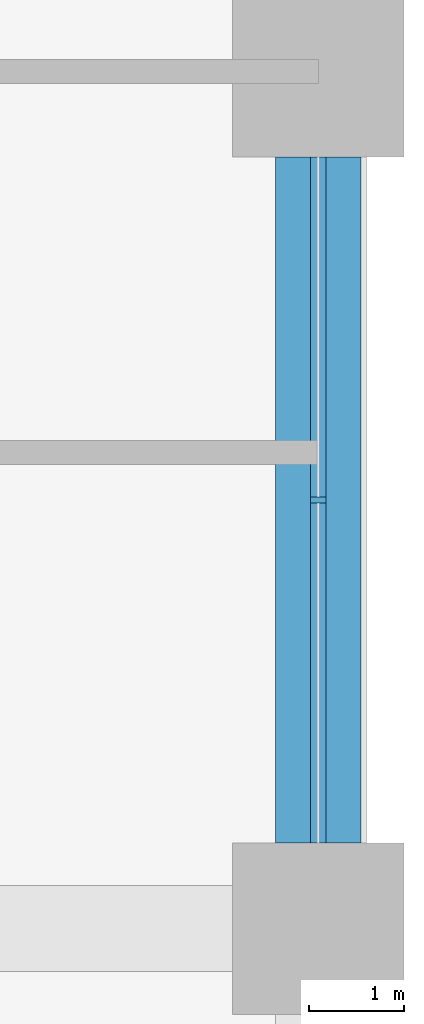
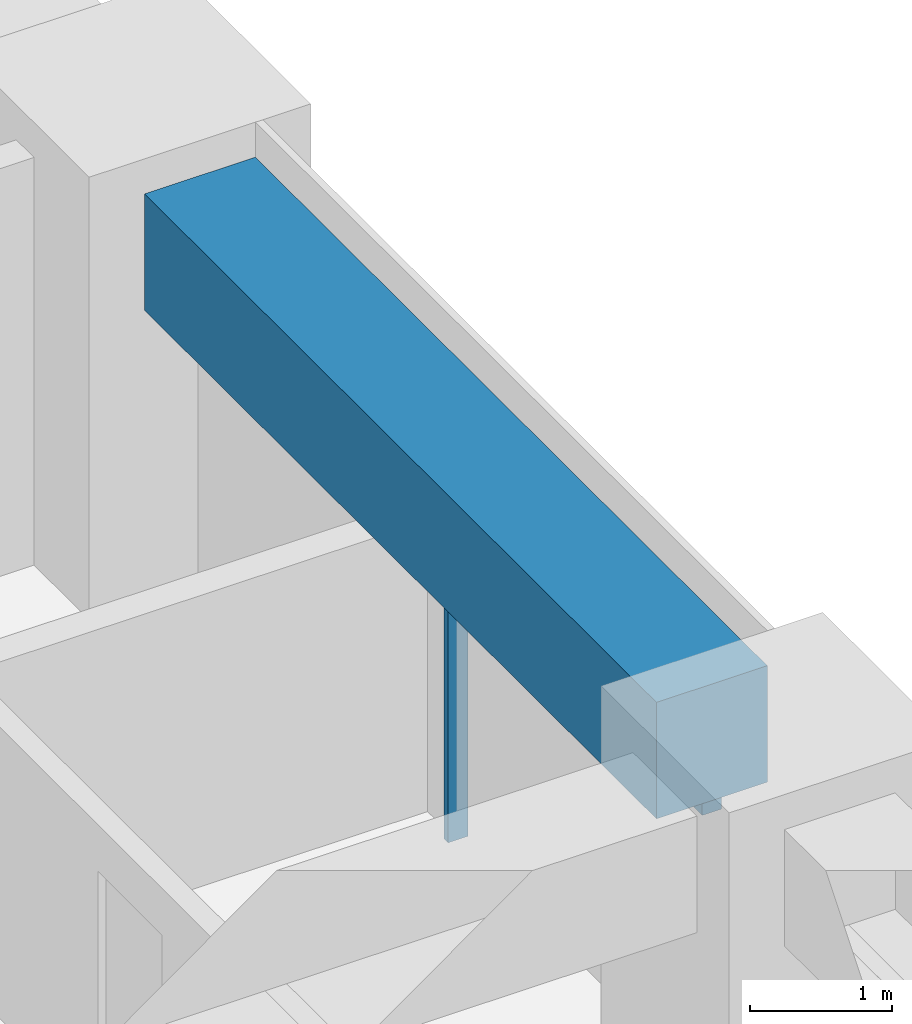
# One storey, part 7 of 23: 2 members, 1 beam, 1 element without a shape of its own.
"""IFC4 building model written with IfcOpenShell, lengths in metres."""

from ifc_helpers import new_model, si_unit, direction, frame, origin, origin_2d, place, context, subcontext, project, spatial, rectangle, extrude, material, material_profile, profile_set, type_object, element, aggregate, save


model = new_model("IFC4")

# Units and contexts
model_context = context("Model", 3, precision=1e-05, world=origin(), true_north=direction((0.0, 1.0)))
body_context = subcontext(model_context, "Body", "Model", "MODEL_VIEW")
ifc_project = project(units=[si_unit("LENGTHUNIT", "METRE"), si_unit("AREAUNIT", "SQUARE_METRE"), si_unit("VOLUMEUNIT", "CUBIC_METRE"), si_unit("PLANEANGLEUNIT", "RADIAN"), si_unit("MASSUNIT", "GRAM", prefix="KILO")], contexts=[model_context])

# Site, building, storey
site_placement = place(None, origin())
site = spatial("IfcSite", under=ifc_project, at=site_placement, CompositionType="ELEMENT")
building_placement = place(site_placement, origin())
building = spatial("IfcBuilding", under=site, at=building_placement, Name="Tessera Arch", CompositionType="ELEMENT")
storey_placement = place(building_placement, frame((0.0, 0.0, 34.800048828125)))
storey = spatial("IfcBuildingStorey", under=building, at=storey_placement, Name="L06", CompositionType="ELEMENT", Elevation=34.800048828125)

# Curtain wall, members
ifc_material_1 = material(Name="CW1 curtain wall")
curtain_wall_type = type_object("IfcCurtainWallType", Name="CW1 curtain wall", PredefinedType="NOTDEFINED", material=ifc_material_1)
curtain_wall_placement = place(storey_placement, origin())
curtain_wall = element("IfcCurtainWall", 1, at=curtain_wall_placement, inside=storey, type_object=curtain_wall_type, Name="CW1 curtain wall E54.0/3 L06", PredefinedType="NOTDEFINED")
ifc_material_2 = material(Name="Anodised aluminium pale metal", Category="aluminium")
ifc_material_profile_1 = material_profile(ifc_material_2, rectangle(XDim=0.159912109375, YDim=0.06005859375, at=origin_2d()), Name="AL 60x160")
ifc_profile_set_1 = profile_set([ifc_material_profile_1], Name="Anodised aluminium pale metal")
member_type_1 = type_object("IfcMemberType", Name="CW1 mullion", PredefinedType="MULLION", material=ifc_profile_set_1)
member_1_placement = place(storey_placement, frame((54.0, 31.5, 0.0), z_axis=(0.0, 0.0, 1.0), x_axis=(-1.0, 0.0, 0.0)))
member_1 = element("IfcMember", 2, at=member_1_placement, type_object=member_type_1, Name="CW1 mullion E54.0/3 1", PredefinedType="MULLION", context=body_context, shape_type="SweptSolid", body=[
    extrude(rectangle(XDim=0.159912109375, YDim=0.06005859375, at=origin_2d()), origin(), (0.0, 0.0, 1.0), 2.39990234375),
])
ifc_material_3 = material(Name="Anodised aluminium pale metal", Category="aluminium")
ifc_material_profile_2 = material_profile(ifc_material_3, rectangle(XDim=0.159912109375, YDim=0.10009765625, at=origin_2d()), Name="AL 160x100")
ifc_profile_set_2 = profile_set([ifc_material_profile_2], Name="Anodised aluminium pale metal")
member_type_2 = type_object("IfcMemberType", Name="CW1 transom", PredefinedType="USERDEFINED", material=ifc_profile_set_2)
member_2_placement = place(storey_placement, frame((54.0, 27.89990234375, 2.449951171875), z_axis=(0.0, 1.0, 0.0), x_axis=(-1.0, 0.0, 0.0)))
member_2 = element("IfcMember", 3, at=member_2_placement, type_object=member_type_2, Name="CW1 transom E54.0/3 1.1", ObjectType="TRANSOM", PredefinedType="USERDEFINED", context=body_context, shape_type="SweptSolid", body=[
    extrude(rectangle(XDim=0.159912109375, YDim=0.10009765625, at=origin_2d()), origin(), (0.0, 0.0, 1.0), 7.2001953125),
])
aggregate(curtain_wall, [member_1, member_2])

# Beam
ifc_material_4 = material(Name="Concrete C80/95", Category="concrete")
ifc_material_profile_3 = material_profile(ifc_material_4, rectangle(XDim=0.89990234375, YDim=1.0, at=origin_2d()), Name="RC spandrel beam 900 x 1000 Concrete C80/95")
ifc_profile_set_3 = profile_set([ifc_material_profile_3], Name="Concrete C80/95")
beam_type = type_object("IfcBeamType", Name="RC spandrel beam 900 x 1000 Concrete C80/95", PredefinedType="BEAM", material=ifc_profile_set_3)
beam_placement = place(storey_placement, frame((54.0, 27.89990234375, 3.0), z_axis=(0.0, 1.0, 0.0), x_axis=(-1.0, 0.0, 0.0)))
element("IfcBeam", 4, at=beam_placement, inside=storey, type_object=beam_type, Name="Spandrel beam L06 E54.0/3", PredefinedType="BEAM", context=body_context, shape_type="SweptSolid", body=[
    extrude(rectangle(XDim=0.89990234375, YDim=1.0, at=origin_2d()), origin(), (0.0, 0.0, 1.0), 7.2001953125),
])

save(model, "model.ifc")
